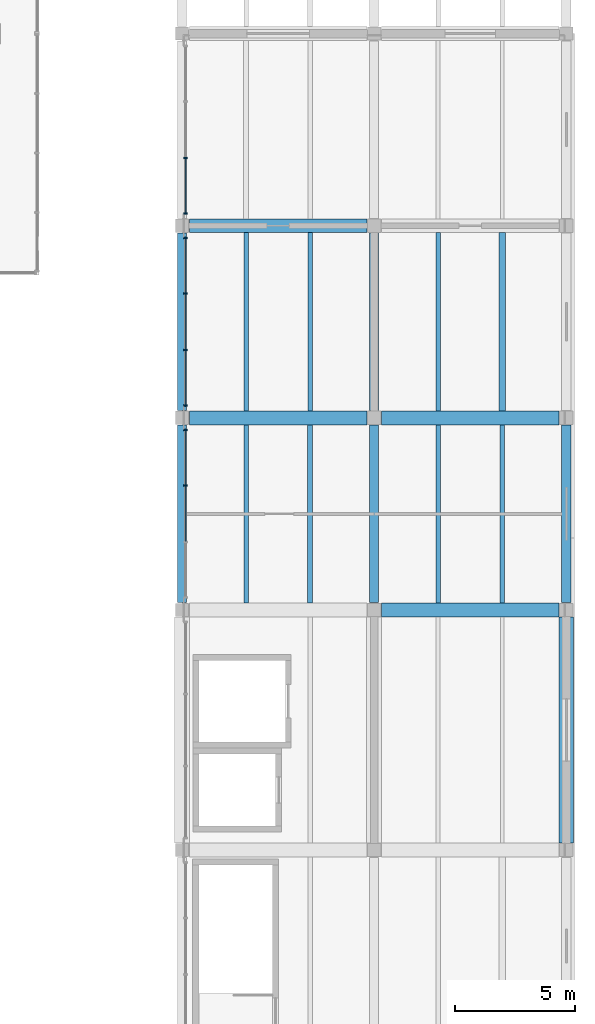
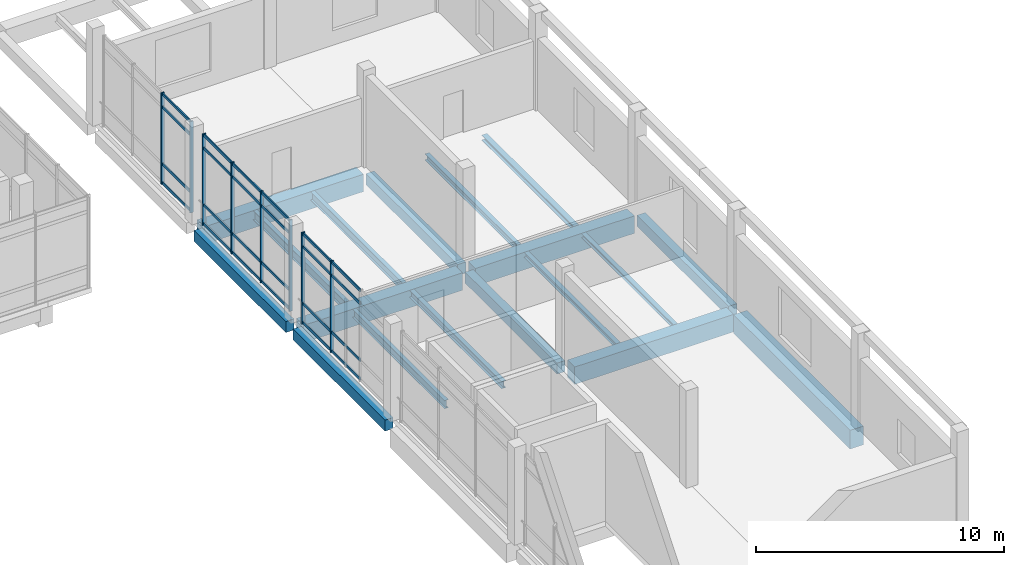
# One storey, part 10 of 28: 32 members, 18 beams, 3 elements without a shape of their own.
"""IFC4 building model written with IfcOpenShell, lengths in metres."""

from ifc_helpers import new_model, si_unit, direction, frame, origin, origin_2d, place, context, subcontext, project, spatial, rectangle, i_section, extrude, material, material_profile, profile_set, type_object, element, aggregate, save


model = new_model("IFC4")

# Units and contexts
model_context = context("Model", 3, precision=1e-05, world=origin(), true_north=direction((0.0, 1.0)))
body_context = subcontext(model_context, "Body", "Model", "MODEL_VIEW")
ifc_project = project(units=[si_unit("LENGTHUNIT", "METRE"), si_unit("AREAUNIT", "SQUARE_METRE"), si_unit("VOLUMEUNIT", "CUBIC_METRE"), si_unit("PLANEANGLEUNIT", "RADIAN"), si_unit("MASSUNIT", "GRAM", prefix="KILO")], contexts=[model_context])

# Site, building, storey
site_placement = place(None, origin())
site = spatial("IfcSite", under=ifc_project, at=site_placement, CompositionType="ELEMENT")
building_placement = place(site_placement, origin())
building = spatial("IfcBuilding", under=site, at=building_placement, Name="Pecanmere Concourse Central Library", CompositionType="ELEMENT")
storey_placement = place(building_placement, frame((0.0, 0.0, 20.10009765625)))
storey = spatial("IfcBuildingStorey", under=building, at=storey_placement, Name="L05", CompositionType="ELEMENT", Elevation=20.10009765625)

# Beams
ifc_material_1 = material(Name="Concrete C40/50", Category="concrete")
ifc_material_profile_1 = material_profile(ifc_material_1, rectangle(XDim=0.3798828125, YDim=0.5400390625, at=origin_2d()), Name="RC 380x540")
ifc_profile_set_1 = profile_set([ifc_material_profile_1], Name="Concrete C40/50")
beam_type_1 = type_object("IfcBeamType", Name="BM_380x540", PredefinedType="BEAM", material=ifc_profile_set_1)
for number, where, z_axis, x_axis, name in (
    (1, (112.0, 74.300048828125, -0.550048828125), (0.0, 1.0, 0.0), (-1.0, 0.0, 0.0), "Primary Girder Y L05-2526"),
    (2, (112.0, 82.300048828125, -0.550048828125), (0.0, 1.0, 0.0), (-1.0, 0.0, 0.0), "Primary Girder Y L05-2527"),
    (3, (120.0, 74.300048828125, -0.550048828125), (0.0, 1.0, 0.0), (-1.0, 0.0, 0.0), "Primary Girder Y L05-2533"),
    (4, (120.0, 82.300048828125, -0.550048828125), (0.0, 1.0, 0.0), (-1.0, 0.0, 0.0), "Primary Girder Y L05-2534"),
    (5, (128.0, 74.300048828125, -0.550048828125), (0.0, 1.0, 0.0), (-1.0, 0.0, 0.0), "Primary Girder Y L05-2540"),
):
    element("IfcBeam", number, at=place(storey_placement, frame(where, z_axis=z_axis, x_axis=x_axis)), inside=storey, type_object=beam_type_1, Name=name, PredefinedType="BEAM", context=body_context, shape_type="SweptSolid", body=[
        extrude(rectangle(XDim=0.3798828125, YDim=0.5400390625, at=origin_2d()), origin(), (0.0, 0.0, 1.0), 7.39990234375),
    ])

# Curtain wall, members
ifc_material_2 = material(Name="Clear anodized aluminium alloy 6063-T6", Category="aluminium")
curtain_wall_type = type_object("IfcCurtainWallType", Name="CW_CLOISTER_GLAZ", PredefinedType="USERDEFINED", material=ifc_material_2)
curtain_wall_1_placement = place(storey_placement, origin())
curtain_wall_1 = element("IfcCurtainWall", 6, at=curtain_wall_1_placement, inside=storey, type_object=curtain_wall_type, Name="Unitised Curtain Wall CW-04 L05-157", ObjectType="UNITISED CURTAIN WALL", PredefinedType="USERDEFINED")
ifc_material_3 = material(Name="Clear anodized aluminium alloy 6063-T6", Category="aluminium")
ifc_material_profile_2 = material_profile(ifc_material_3, rectangle(XDim=0.06005859375, YDim=0.14990234375, at=origin_2d()), Name="AL 60x150")
ifc_profile_set_2 = profile_set([ifc_material_profile_2], Name="Clear anodized aluminium alloy 6063-T6")
member_type_1 = type_object("IfcMemberType", Name="CWM_150x60", PredefinedType="MULLION", material=ifc_profile_set_2)
member_1_placement = place(storey_placement, frame((112.14990234375, 81.489990234375, 0.0), z_axis=(0.0, 0.0, 1.0), x_axis=(0.0, -1.0, 0.0)))
member_1 = element("IfcMember", 7, at=member_1_placement, type_object=member_type_1, Name="CW-04 Mullion 1", PredefinedType="MULLION", context=body_context, shape_type="SweptSolid", body=[
    extrude(rectangle(XDim=0.06005859375, YDim=0.14990234375, at=origin_2d()), origin(), (0.0, 0.0, 1.0), 4.5),
])
member_2_placement = place(storey_placement, frame((112.14990234375, 79.17333984375, 0.0), z_axis=(0.0, 0.0, 1.0), x_axis=(0.0, -1.0, 0.0)))
member_2 = element("IfcMember", 8, at=member_2_placement, type_object=member_type_1, Name="CW-04 Mullion 2", PredefinedType="MULLION", context=body_context, shape_type="SweptSolid", body=[
    extrude(rectangle(XDim=0.06005859375, YDim=0.14990234375, at=origin_2d()), origin(), (0.0, 0.0, 1.0), 4.5),
])

curtain_wall_2_placement = place(storey_placement, origin())
curtain_wall_2 = element("IfcCurtainWall", 9, at=curtain_wall_2_placement, inside=storey, type_object=curtain_wall_type, Name="Unitised Curtain Wall CW-04 L05-159", ObjectType="UNITISED CURTAIN WALL", PredefinedType="USERDEFINED")
member_3_placement = place(storey_placement, frame((112.14990234375, 89.489990234375, 0.0), z_axis=(0.0, 0.0, 1.0), x_axis=(0.0, -1.0, 0.0)))
member_3 = element("IfcMember", 10, at=member_3_placement, type_object=member_type_1, Name="CW-04 Mullion 1", PredefinedType="MULLION", context=body_context, shape_type="SweptSolid", body=[
    extrude(rectangle(XDim=0.06005859375, YDim=0.14990234375, at=origin_2d()), origin(), (0.0, 0.0, 1.0), 4.5),
])
member_4_placement = place(storey_placement, frame((112.14990234375, 87.17333984375, 0.0), z_axis=(0.0, 0.0, 1.0), x_axis=(0.0, -1.0, 0.0)))
member_4 = element("IfcMember", 11, at=member_4_placement, type_object=member_type_1, Name="CW-04 Mullion 2", PredefinedType="MULLION", context=body_context, shape_type="SweptSolid", body=[
    extrude(rectangle(XDim=0.06005859375, YDim=0.14990234375, at=origin_2d()), origin(), (0.0, 0.0, 1.0), 4.5),
])
member_5_placement = place(storey_placement, frame((112.14990234375, 84.82666015625, 0.0), z_axis=(0.0, 0.0, 1.0), x_axis=(0.0, -1.0, 0.0)))
member_5 = element("IfcMember", 12, at=member_5_placement, type_object=member_type_1, Name="CW-04 Mullion 3", PredefinedType="MULLION", context=body_context, shape_type="SweptSolid", body=[
    extrude(rectangle(XDim=0.06005859375, YDim=0.14990234375, at=origin_2d()), origin(), (0.0, 0.0, 1.0), 4.5),
])
member_6_placement = place(storey_placement, frame((112.14990234375, 82.510009765625, 0.0), z_axis=(0.0, 0.0, 1.0), x_axis=(0.0, -1.0, 0.0)))
member_6 = element("IfcMember", 13, at=member_6_placement, type_object=member_type_1, Name="CW-04 Mullion 4", PredefinedType="MULLION", context=body_context, shape_type="SweptSolid", body=[
    extrude(rectangle(XDim=0.06005859375, YDim=0.14990234375, at=origin_2d()), origin(), (0.0, 0.0, 1.0), 4.5),
])

curtain_wall_3_placement = place(storey_placement, origin())
curtain_wall_3 = element("IfcCurtainWall", 14, at=curtain_wall_3_placement, inside=storey, type_object=curtain_wall_type, Name="Unitised Curtain Wall CW-04 L05-161", ObjectType="UNITISED CURTAIN WALL", PredefinedType="USERDEFINED")
member_7_placement = place(storey_placement, frame((112.14990234375, 92.82666015625, 0.0), z_axis=(0.0, 0.0, 1.0), x_axis=(0.0, -1.0, 0.0)))
member_7 = element("IfcMember", 15, at=member_7_placement, type_object=member_type_1, Name="CW-04 Mullion 3", PredefinedType="MULLION", context=body_context, shape_type="SweptSolid", body=[
    extrude(rectangle(XDim=0.06005859375, YDim=0.14990234375, at=origin_2d()), origin(), (0.0, 0.0, 1.0), 4.5),
])
member_8_placement = place(storey_placement, frame((112.14990234375, 90.510009765625, 0.0), z_axis=(0.0, 0.0, 1.0), x_axis=(0.0, -1.0, 0.0)))
member_8 = element("IfcMember", 16, at=member_8_placement, type_object=member_type_1, Name="CW-04 Mullion 4", PredefinedType="MULLION", context=body_context, shape_type="SweptSolid", body=[
    extrude(rectangle(XDim=0.06005859375, YDim=0.14990234375, at=origin_2d()), origin(), (0.0, 0.0, 1.0), 4.5),
])

# Member
ifc_material_4 = material(Name="Clear anodized aluminium alloy 6063-T6", Category="aluminium")
ifc_material_profile_3 = material_profile(ifc_material_4, rectangle(XDim=0.054931640625, YDim=0.139892578125, at=origin_2d()), Name="AL 55x140")
ifc_profile_set_3 = profile_set([ifc_material_profile_3], Name="Clear anodized aluminium alloy 6063-T6")
member_type_2 = type_object("IfcMemberType", Name="CWT_140x55", PredefinedType="USERDEFINED", material=ifc_profile_set_3)
member_9_placement = place(storey_placement, frame((112.14990234375, 81.4599609375, 0.06982421875), z_axis=(0.0, -1.0, 0.0), x_axis=(1.0, 0.0, 0.0)))
member_9 = element("IfcMember", 17, at=member_9_placement, type_object=member_type_2, Name="CW-04 Transom 1.1", ObjectType="TRANSOM", PredefinedType="USERDEFINED", context=body_context, shape_type="SweptSolid", body=[
    extrude(rectangle(XDim=0.054931640625, YDim=0.139892578125, at=origin_2d()), origin(), (0.0, 0.0, 1.0), 2.256591796875),
])

member_10_placement = place(storey_placement, frame((112.14990234375, 81.4599609375, 1.0), z_axis=(0.0, -1.0, 0.0), x_axis=(1.0, 0.0, 0.0)))
member_10 = element("IfcMember", 18, at=member_10_placement, type_object=member_type_2, Name="CW-04 Transom 1.2", ObjectType="TRANSOM", PredefinedType="USERDEFINED", context=body_context, shape_type="SweptSolid", body=[
    extrude(rectangle(XDim=0.054931640625, YDim=0.139892578125, at=origin_2d()), origin(), (0.0, 0.0, 1.0), 2.256591796875),
])

member_11_placement = place(storey_placement, frame((112.14990234375, 81.4599609375, 3.7998046875), z_axis=(0.0, -1.0, 0.0), x_axis=(1.0, 0.0, 0.0)))
member_11 = element("IfcMember", 19, at=member_11_placement, type_object=member_type_2, Name="CW-04 Transom 1.3", ObjectType="TRANSOM", PredefinedType="USERDEFINED", context=body_context, shape_type="SweptSolid", body=[
    extrude(rectangle(XDim=0.054931640625, YDim=0.139892578125, at=origin_2d()), origin(), (0.0, 0.0, 1.0), 2.256591796875),
])

member_12_placement = place(storey_placement, frame((112.14990234375, 81.4599609375, 4.429931640625), z_axis=(0.0, -1.0, 0.0), x_axis=(1.0, 0.0, 0.0)))
member_12 = element("IfcMember", 20, at=member_12_placement, type_object=member_type_2, Name="CW-04 Transom 1.4", ObjectType="TRANSOM", PredefinedType="USERDEFINED", context=body_context, shape_type="SweptSolid", body=[
    extrude(rectangle(XDim=0.054931640625, YDim=0.139892578125, at=origin_2d()), origin(), (0.0, 0.0, 1.0), 2.256591796875),
])

member_13_placement = place(storey_placement, frame((112.14990234375, 79.143310546875, 0.06982421875), z_axis=(0.0, -1.0, 0.0), x_axis=(1.0, 0.0, 0.0)))
member_13 = element("IfcMember", 21, at=member_13_placement, type_object=member_type_2, Name="CW-04 Transom 2.1", ObjectType="TRANSOM", PredefinedType="USERDEFINED", context=body_context, shape_type="SweptSolid", body=[
    extrude(rectangle(XDim=0.054931640625, YDim=0.139892578125, at=origin_2d()), origin(), (0.0, 0.0, 1.0), 2.28662109375),
])

member_14_placement = place(storey_placement, frame((112.14990234375, 79.143310546875, 1.0), z_axis=(0.0, -1.0, 0.0), x_axis=(1.0, 0.0, 0.0)))
member_14 = element("IfcMember", 22, at=member_14_placement, type_object=member_type_2, Name="CW-04 Transom 2.2", ObjectType="TRANSOM", PredefinedType="USERDEFINED", context=body_context, shape_type="SweptSolid", body=[
    extrude(rectangle(XDim=0.054931640625, YDim=0.139892578125, at=origin_2d()), origin(), (0.0, 0.0, 1.0), 2.28662109375),
])

member_15_placement = place(storey_placement, frame((112.14990234375, 79.143310546875, 3.7998046875), z_axis=(0.0, -1.0, 0.0), x_axis=(1.0, 0.0, 0.0)))
member_15 = element("IfcMember", 23, at=member_15_placement, type_object=member_type_2, Name="CW-04 Transom 2.3", ObjectType="TRANSOM", PredefinedType="USERDEFINED", context=body_context, shape_type="SweptSolid", body=[
    extrude(rectangle(XDim=0.054931640625, YDim=0.139892578125, at=origin_2d()), origin(), (0.0, 0.0, 1.0), 2.28662109375),
])

member_16_placement = place(storey_placement, frame((112.14990234375, 79.143310546875, 4.429931640625), z_axis=(0.0, -1.0, 0.0), x_axis=(1.0, 0.0, 0.0)))
member_16 = element("IfcMember", 24, at=member_16_placement, type_object=member_type_2, Name="CW-04 Transom 2.4", ObjectType="TRANSOM", PredefinedType="USERDEFINED", context=body_context, shape_type="SweptSolid", body=[
    extrude(rectangle(XDim=0.054931640625, YDim=0.139892578125, at=origin_2d()), origin(), (0.0, 0.0, 1.0), 2.28662109375),
])

aggregate(curtain_wall_1, [member_1, member_2, member_9, member_10, member_11, member_12, member_13, member_14, member_15, member_16])

member_17_placement = place(storey_placement, frame((112.14990234375, 89.4599609375, 0.06982421875), z_axis=(0.0, -1.0, 0.0), x_axis=(1.0, 0.0, 0.0)))
member_17 = element("IfcMember", 25, at=member_17_placement, type_object=member_type_2, Name="CW-04 Transom 1.1", ObjectType="TRANSOM", PredefinedType="USERDEFINED", context=body_context, shape_type="SweptSolid", body=[
    extrude(rectangle(XDim=0.054931640625, YDim=0.139892578125, at=origin_2d()), origin(), (0.0, 0.0, 1.0), 2.256591796875),
])

member_18_placement = place(storey_placement, frame((112.14990234375, 89.4599609375, 1.0), z_axis=(0.0, -1.0, 0.0), x_axis=(1.0, 0.0, 0.0)))
member_18 = element("IfcMember", 26, at=member_18_placement, type_object=member_type_2, Name="CW-04 Transom 1.2", ObjectType="TRANSOM", PredefinedType="USERDEFINED", context=body_context, shape_type="SweptSolid", body=[
    extrude(rectangle(XDim=0.054931640625, YDim=0.139892578125, at=origin_2d()), origin(), (0.0, 0.0, 1.0), 2.256591796875),
])

member_19_placement = place(storey_placement, frame((112.14990234375, 89.4599609375, 3.7998046875), z_axis=(0.0, -1.0, 0.0), x_axis=(1.0, 0.0, 0.0)))
member_19 = element("IfcMember", 27, at=member_19_placement, type_object=member_type_2, Name="CW-04 Transom 1.3", ObjectType="TRANSOM", PredefinedType="USERDEFINED", context=body_context, shape_type="SweptSolid", body=[
    extrude(rectangle(XDim=0.054931640625, YDim=0.139892578125, at=origin_2d()), origin(), (0.0, 0.0, 1.0), 2.256591796875),
])

member_20_placement = place(storey_placement, frame((112.14990234375, 89.4599609375, 4.429931640625), z_axis=(0.0, -1.0, 0.0), x_axis=(1.0, 0.0, 0.0)))
member_20 = element("IfcMember", 28, at=member_20_placement, type_object=member_type_2, Name="CW-04 Transom 1.4", ObjectType="TRANSOM", PredefinedType="USERDEFINED", context=body_context, shape_type="SweptSolid", body=[
    extrude(rectangle(XDim=0.054931640625, YDim=0.139892578125, at=origin_2d()), origin(), (0.0, 0.0, 1.0), 2.256591796875),
])

member_21_placement = place(storey_placement, frame((112.14990234375, 87.143310546875, 0.06982421875), z_axis=(0.0, -1.0, 0.0), x_axis=(1.0, 0.0, 0.0)))
member_21 = element("IfcMember", 29, at=member_21_placement, type_object=member_type_2, Name="CW-04 Transom 2.1", ObjectType="TRANSOM", PredefinedType="USERDEFINED", context=body_context, shape_type="SweptSolid", body=[
    extrude(rectangle(XDim=0.054931640625, YDim=0.139892578125, at=origin_2d()), origin(), (0.0, 0.0, 1.0), 2.28662109375),
])

member_22_placement = place(storey_placement, frame((112.14990234375, 87.143310546875, 1.0), z_axis=(0.0, -1.0, 0.0), x_axis=(1.0, 0.0, 0.0)))
member_22 = element("IfcMember", 30, at=member_22_placement, type_object=member_type_2, Name="CW-04 Transom 2.2", ObjectType="TRANSOM", PredefinedType="USERDEFINED", context=body_context, shape_type="SweptSolid", body=[
    extrude(rectangle(XDim=0.054931640625, YDim=0.139892578125, at=origin_2d()), origin(), (0.0, 0.0, 1.0), 2.28662109375),
])

member_23_placement = place(storey_placement, frame((112.14990234375, 87.143310546875, 3.7998046875), z_axis=(0.0, -1.0, 0.0), x_axis=(1.0, 0.0, 0.0)))
member_23 = element("IfcMember", 31, at=member_23_placement, type_object=member_type_2, Name="CW-04 Transom 2.3", ObjectType="TRANSOM", PredefinedType="USERDEFINED", context=body_context, shape_type="SweptSolid", body=[
    extrude(rectangle(XDim=0.054931640625, YDim=0.139892578125, at=origin_2d()), origin(), (0.0, 0.0, 1.0), 2.28662109375),
])

member_24_placement = place(storey_placement, frame((112.14990234375, 87.143310546875, 4.429931640625), z_axis=(0.0, -1.0, 0.0), x_axis=(1.0, 0.0, 0.0)))
member_24 = element("IfcMember", 32, at=member_24_placement, type_object=member_type_2, Name="CW-04 Transom 2.4", ObjectType="TRANSOM", PredefinedType="USERDEFINED", context=body_context, shape_type="SweptSolid", body=[
    extrude(rectangle(XDim=0.054931640625, YDim=0.139892578125, at=origin_2d()), origin(), (0.0, 0.0, 1.0), 2.28662109375),
])

member_25_placement = place(storey_placement, frame((112.14990234375, 84.796630859375, 0.06982421875), z_axis=(0.0, -1.0, 0.0), x_axis=(1.0, 0.0, 0.0)))
member_25 = element("IfcMember", 33, at=member_25_placement, type_object=member_type_2, Name="CW-04 Transom 3.1", ObjectType="TRANSOM", PredefinedType="USERDEFINED", context=body_context, shape_type="SweptSolid", body=[
    extrude(rectangle(XDim=0.054931640625, YDim=0.139892578125, at=origin_2d()), origin(), (0.0, 0.0, 1.0), 2.256591796875),
])

member_26_placement = place(storey_placement, frame((112.14990234375, 84.796630859375, 1.0), z_axis=(0.0, -1.0, 0.0), x_axis=(1.0, 0.0, 0.0)))
member_26 = element("IfcMember", 34, at=member_26_placement, type_object=member_type_2, Name="CW-04 Transom 3.2", ObjectType="TRANSOM", PredefinedType="USERDEFINED", context=body_context, shape_type="SweptSolid", body=[
    extrude(rectangle(XDim=0.054931640625, YDim=0.139892578125, at=origin_2d()), origin(), (0.0, 0.0, 1.0), 2.256591796875),
])

member_27_placement = place(storey_placement, frame((112.14990234375, 84.796630859375, 3.7998046875), z_axis=(0.0, -1.0, 0.0), x_axis=(1.0, 0.0, 0.0)))
member_27 = element("IfcMember", 35, at=member_27_placement, type_object=member_type_2, Name="CW-04 Transom 3.3", ObjectType="TRANSOM", PredefinedType="USERDEFINED", context=body_context, shape_type="SweptSolid", body=[
    extrude(rectangle(XDim=0.054931640625, YDim=0.139892578125, at=origin_2d()), origin(), (0.0, 0.0, 1.0), 2.256591796875),
])

member_28_placement = place(storey_placement, frame((112.14990234375, 84.796630859375, 4.429931640625), z_axis=(0.0, -1.0, 0.0), x_axis=(1.0, 0.0, 0.0)))
member_28 = element("IfcMember", 36, at=member_28_placement, type_object=member_type_2, Name="CW-04 Transom 3.4", ObjectType="TRANSOM", PredefinedType="USERDEFINED", context=body_context, shape_type="SweptSolid", body=[
    extrude(rectangle(XDim=0.054931640625, YDim=0.139892578125, at=origin_2d()), origin(), (0.0, 0.0, 1.0), 2.256591796875),
])

aggregate(curtain_wall_2, [member_3, member_4, member_5, member_6, member_17, member_18, member_19, member_20, member_21, member_22, member_23, member_24, member_25, member_26, member_27, member_28])

member_29_placement = place(storey_placement, frame((112.14990234375, 92.796630859375, 0.06982421875), z_axis=(0.0, -1.0, 0.0), x_axis=(1.0, 0.0, 0.0)))
member_29 = element("IfcMember", 37, at=member_29_placement, type_object=member_type_2, Name="CW-04 Transom 3.1", ObjectType="TRANSOM", PredefinedType="USERDEFINED", context=body_context, shape_type="SweptSolid", body=[
    extrude(rectangle(XDim=0.054931640625, YDim=0.139892578125, at=origin_2d()), origin(), (0.0, 0.0, 1.0), 2.256591796875),
])

member_30_placement = place(storey_placement, frame((112.14990234375, 92.796630859375, 1.0), z_axis=(0.0, -1.0, 0.0), x_axis=(1.0, 0.0, 0.0)))
member_30 = element("IfcMember", 38, at=member_30_placement, type_object=member_type_2, Name="CW-04 Transom 3.2", ObjectType="TRANSOM", PredefinedType="USERDEFINED", context=body_context, shape_type="SweptSolid", body=[
    extrude(rectangle(XDim=0.054931640625, YDim=0.139892578125, at=origin_2d()), origin(), (0.0, 0.0, 1.0), 2.256591796875),
])

member_31_placement = place(storey_placement, frame((112.14990234375, 92.796630859375, 3.7998046875), z_axis=(0.0, -1.0, 0.0), x_axis=(1.0, 0.0, 0.0)))
member_31 = element("IfcMember", 39, at=member_31_placement, type_object=member_type_2, Name="CW-04 Transom 3.3", ObjectType="TRANSOM", PredefinedType="USERDEFINED", context=body_context, shape_type="SweptSolid", body=[
    extrude(rectangle(XDim=0.054931640625, YDim=0.139892578125, at=origin_2d()), origin(), (0.0, 0.0, 1.0), 2.256591796875),
])

member_32_placement = place(storey_placement, frame((112.14990234375, 92.796630859375, 4.429931640625), z_axis=(0.0, -1.0, 0.0), x_axis=(1.0, 0.0, 0.0)))
member_32 = element("IfcMember", 40, at=member_32_placement, type_object=member_type_2, Name="CW-04 Transom 3.4", ObjectType="TRANSOM", PredefinedType="USERDEFINED", context=body_context, shape_type="SweptSolid", body=[
    extrude(rectangle(XDim=0.054931640625, YDim=0.139892578125, at=origin_2d()), origin(), (0.0, 0.0, 1.0), 2.256591796875),
])

aggregate(curtain_wall_3, [member_7, member_8, member_29, member_30, member_31, member_32])

# Beams
ifc_material_5 = material(Name="Concrete C40/50", Category="concrete")
ifc_material_profile_4 = material_profile(ifc_material_5, rectangle(XDim=0.580078125, YDim=0.860107421875, at=origin_2d()), Name="RC 580x860")
ifc_profile_set_4 = profile_set([ifc_material_profile_4], Name="Concrete C40/50")
beam_type_2 = type_object("IfcBeamType", Name="GRD_580x860", PredefinedType="USERDEFINED", material=ifc_profile_set_4)
for number, where, z_axis, x_axis, name in (
    (41, (120.300048828125, 74.0, -0.710205078125), (1.0, 0.0, 0.0), (0.0, 1.0, 0.0), "Primary Girder X L05-2449"),
    (42, (112.300048828125, 82.0, -0.710205078125), (1.0, 0.0, 0.0), (0.0, 1.0, 0.0), "Primary Girder X L05-2452"),
    (43, (120.300048828125, 82.0, -0.710205078125), (1.0, 0.0, 0.0), (0.0, 1.0, 0.0), "Primary Girder X L05-2453"),
    (44, (112.300048828125, 90.0, -0.710205078125), (1.0, 0.0, 0.0), (0.0, 1.0, 0.0), "Primary Girder X L05-2460"),
):
    element("IfcBeam", number, at=place(storey_placement, frame(where, z_axis=z_axis, x_axis=x_axis)), inside=storey, type_object=beam_type_2, Name=name, ObjectType="GIRDER", PredefinedType="USERDEFINED", context=body_context, shape_type="SweptSolid", body=[
        extrude(rectangle(XDim=0.580078125, YDim=0.860107421875, at=origin_2d()), origin(), (0.0, 0.0, 1.0), 7.39990234375),
    ])
ifc_material_6 = material(Name="Concrete C40/50", Category="concrete")
ifc_material_profile_5 = material_profile(ifc_material_6, rectangle(XDim=0.6201171875, YDim=0.919921875, at=origin_2d()), Name="RC 620x920")
ifc_profile_set_5 = profile_set([ifc_material_profile_5], Name="Concrete C40/50")
beam_type_3 = type_object("IfcBeamType", Name="GRD_620x920", PredefinedType="USERDEFINED", material=ifc_profile_set_5)
beam_1_placement = place(storey_placement, frame((128.0, 64.300048828125, -0.739990234375), z_axis=(0.0, 1.0, 0.0), x_axis=(-1.0, 0.0, 0.0)))
element("IfcBeam", 45, at=beam_1_placement, inside=storey, type_object=beam_type_3, Name="Primary Girder Y L05-2539", ObjectType="GIRDER", PredefinedType="USERDEFINED", context=body_context, shape_type="SweptSolid", body=[
    extrude(rectangle(XDim=0.6201171875, YDim=0.919921875, at=origin_2d()), origin(), (0.0, 0.0, 1.0), 9.39990234375),
])
ifc_material_7 = material(Name="Structural steel ASTM A992 Grade 50", Category="steel")
ifc_material_profile_6 = material_profile(ifc_material_7, i_section(OverallWidth=0.2041015625, OverallDepth=0.2060546875, WebThickness=0.0078125, FlangeThickness=0.0126953125, at=origin_2d()), Name="W200x52")
ifc_profile_set_6 = profile_set([ifc_material_profile_6], Name="Structural steel ASTM A992 Grade 50")
beam_type_4 = type_object("IfcBeamType", Name="SBM_W200x52", PredefinedType="JOIST", material=ifc_profile_set_6)
beam_2_placement = place(storey_placement, frame((125.333251953125, 74.2900390625, -0.383056640625), z_axis=(0.0, 1.0, 0.0), x_axis=(-1.0, 0.0, 0.0)))
element("IfcBeam", 46, at=beam_2_placement, inside=storey, type_object=beam_type_4, Name="Secondary Floor Joist L05-2617", PredefinedType="JOIST", context=body_context, shape_type="SweptSolid", body=[
    extrude(i_section(OverallWidth=0.2041015625, OverallDepth=0.2060546875, WebThickness=0.0078125, FlangeThickness=0.0126953125, at=origin_2d()), origin(), (0.0, 0.0, 1.0), 7.419921875),
])
ifc_material_8 = material(Name="Structural steel ASTM A992 Grade 50", Category="steel")
ifc_material_profile_7 = material_profile(ifc_material_8, i_section(OverallWidth=0.201904296875, OverallDepth=0.2470703125, WebThickness=0.00732421875, FlangeThickness=0.010986328125, at=origin_2d()), Name="W250x49.1")
ifc_profile_set_7 = profile_set([ifc_material_profile_7], Name="Structural steel ASTM A992 Grade 50")
beam_type_5 = type_object("IfcBeamType", Name="SBM_W250x49", PredefinedType="JOIST", material=ifc_profile_set_7)
beam_3_placement = place(storey_placement, frame((122.666748046875, 74.2900390625, -0.403564453125), z_axis=(0.0, 1.0, 0.0), x_axis=(-1.0, 0.0, 0.0)))
element("IfcBeam", 47, at=beam_3_placement, inside=storey, type_object=beam_type_5, Name="Secondary Floor Joist L05-2616", PredefinedType="JOIST", context=body_context, shape_type="SweptSolid", body=[
    extrude(i_section(OverallWidth=0.201904296875, OverallDepth=0.2470703125, WebThickness=0.00732421875, FlangeThickness=0.010986328125, at=origin_2d()), origin(), (0.0, 0.0, 1.0), 7.419921875),
])
ifc_material_9 = material(Name="Structural steel ASTM A992 Grade 50", Category="steel")
ifc_material_profile_8 = material_profile(ifc_material_9, i_section(OverallWidth=0.25390625, OverallDepth=0.2529296875, WebThickness=0.008544921875, FlangeThickness=0.01416015625, at=origin_2d()), Name="W250x73")
ifc_profile_set_8 = profile_set([ifc_material_profile_8], Name="Structural steel ASTM A992 Grade 50")
beam_type_6 = type_object("IfcBeamType", Name="SBM_W250x73", PredefinedType="BEAM", material=ifc_profile_set_8)
beam_4_placement = place(storey_placement, frame((125.333251953125, 82.2900390625, -0.406494140625), z_axis=(0.0, 1.0, 0.0), x_axis=(-1.0, 0.0, 0.0)))
element("IfcBeam", 48, at=beam_4_placement, inside=storey, type_object=beam_type_6, Name="Secondary Floor Joist L05-2619", PredefinedType="BEAM", context=body_context, shape_type="SweptSolid", body=[
    extrude(i_section(OverallWidth=0.25390625, OverallDepth=0.2529296875, WebThickness=0.008544921875, FlangeThickness=0.01416015625, at=origin_2d()), origin(), (0.0, 0.0, 1.0), 7.419921875),
])
ifc_material_10 = material(Name="Structural steel ASTM A992 Grade 50", Category="steel")
ifc_material_profile_9 = material_profile(ifc_material_10, i_section(OverallWidth=0.205078125, OverallDepth=0.31005859375, WebThickness=0.009521484375, FlangeThickness=0.016357421875, at=origin_2d()), Name="W310x74")
ifc_profile_set_9 = profile_set([ifc_material_profile_9], Name="Structural steel ASTM A992 Grade 50")
beam_type_7 = type_object("IfcBeamType", Name="SBM_W310x74", PredefinedType="BEAM", material=ifc_profile_set_9)
beam_5_placement = place(storey_placement, frame((122.666748046875, 82.2900390625, -0.43505859375), z_axis=(0.0, 1.0, 0.0), x_axis=(-1.0, 0.0, 0.0)))
element("IfcBeam", 49, at=beam_5_placement, inside=storey, type_object=beam_type_7, Name="Secondary Floor Joist L05-2618", PredefinedType="BEAM", context=body_context, shape_type="SweptSolid", body=[
    extrude(i_section(OverallWidth=0.205078125, OverallDepth=0.31005859375, WebThickness=0.009521484375, FlangeThickness=0.016357421875, at=origin_2d()), origin(), (0.0, 0.0, 1.0), 7.419921875),
])
ifc_material_11 = material(Name="Structural steel ASTM A992 Grade 50", Category="steel")
ifc_material_profile_10 = material_profile(ifc_material_11, i_section(OverallWidth=0.202880859375, OverallDepth=0.346923828125, WebThickness=0.0078125, FlangeThickness=0.013427734375, at=origin_2d()), Name="W360x64")
ifc_profile_set_10 = profile_set([ifc_material_profile_10], Name="Structural steel ASTM A992 Grade 50")
beam_type_8 = type_object("IfcBeamType", Name="SBM_W360x64", PredefinedType="JOIST", material=ifc_profile_set_10)
beam_6_placement = place(storey_placement, frame((117.333251953125, 74.2900390625, -0.45361328125), z_axis=(0.0, 1.0, 0.0), x_axis=(-1.0, 0.0, 0.0)))
element("IfcBeam", 50, at=beam_6_placement, inside=storey, type_object=beam_type_8, Name="Secondary Floor Joist L05-2603", PredefinedType="JOIST", context=body_context, shape_type="SweptSolid", body=[
    extrude(i_section(OverallWidth=0.202880859375, OverallDepth=0.346923828125, WebThickness=0.0078125, FlangeThickness=0.013427734375, at=origin_2d()), origin(), (0.0, 0.0, 1.0), 7.419921875),
])
ifc_material_12 = material(Name="Structural steel ASTM A992 Grade 50", Category="steel")
ifc_material_profile_11 = material_profile(ifc_material_12, i_section(OverallWidth=0.177978515625, OverallDepth=0.406982421875, WebThickness=0.0078125, FlangeThickness=0.0126953125, at=origin_2d()), Name="W410x60")
ifc_profile_set_11 = profile_set([ifc_material_profile_11], Name="Structural steel ASTM A992 Grade 50")
beam_type_9 = type_object("IfcBeamType", Name="SBM_W410x60", PredefinedType="JOIST", material=ifc_profile_set_11)
beam_7_placement = place(storey_placement, frame((114.666748046875, 74.2900390625, -0.483642578125), z_axis=(0.0, 1.0, 0.0), x_axis=(-1.0, 0.0, 0.0)))
element("IfcBeam", 51, at=beam_7_placement, inside=storey, type_object=beam_type_9, Name="Secondary Floor Joist L05-2602", PredefinedType="JOIST", context=body_context, shape_type="SweptSolid", body=[
    extrude(i_section(OverallWidth=0.177978515625, OverallDepth=0.406982421875, WebThickness=0.0078125, FlangeThickness=0.0126953125, at=origin_2d()), origin(), (0.0, 0.0, 1.0), 7.419921875),
])
ifc_material_13 = material(Name="Structural steel ASTM A992 Grade 50", Category="steel")
ifc_material_profile_12 = material_profile(ifc_material_13, i_section(OverallWidth=0.180908203125, OverallDepth=0.4169921875, WebThickness=0.010986328125, FlangeThickness=0.018310546875, at=origin_2d()), Name="W410x85")
ifc_profile_set_12 = profile_set([ifc_material_profile_12], Name="Structural steel ASTM A992 Grade 50")
beam_type_10 = type_object("IfcBeamType", Name="SBM_W410x85", PredefinedType="BEAM", material=ifc_profile_set_12)
beam_8_placement = place(storey_placement, frame((117.333251953125, 82.2900390625, -0.488525390625), z_axis=(0.0, 1.0, 0.0), x_axis=(-1.0, 0.0, 0.0)))
element("IfcBeam", 52, at=beam_8_placement, inside=storey, type_object=beam_type_10, Name="Secondary Floor Joist L05-2605", PredefinedType="BEAM", context=body_context, shape_type="SweptSolid", body=[
    extrude(i_section(OverallWidth=0.180908203125, OverallDepth=0.4169921875, WebThickness=0.010986328125, FlangeThickness=0.018310546875, at=origin_2d()), origin(), (0.0, 0.0, 1.0), 7.419921875),
])
ifc_material_14 = material(Name="Structural steel ASTM A992 Grade 50", Category="steel")
ifc_material_profile_13 = material_profile(ifc_material_14, i_section(OverallWidth=0.18994140625, OverallDepth=0.45703125, WebThickness=0.009033203125, FlangeThickness=0.014404296875, at=origin_2d()), Name="W460x74")
ifc_profile_set_13 = profile_set([ifc_material_profile_13], Name="Structural steel ASTM A992 Grade 50")
beam_type_11 = type_object("IfcBeamType", Name="SBM_W460x74", PredefinedType="BEAM", material=ifc_profile_set_13)
beam_9_placement = place(storey_placement, frame((114.666748046875, 82.2900390625, -0.508544921875), z_axis=(0.0, 1.0, 0.0), x_axis=(-1.0, 0.0, 0.0)))
element("IfcBeam", 53, at=beam_9_placement, inside=storey, type_object=beam_type_11, Name="Secondary Floor Joist L05-2604", PredefinedType="BEAM", context=body_context, shape_type="SweptSolid", body=[
    extrude(i_section(OverallWidth=0.18994140625, OverallDepth=0.45703125, WebThickness=0.009033203125, FlangeThickness=0.014404296875, at=origin_2d()), origin(), (0.0, 0.0, 1.0), 7.419921875),
])

save(model, "model.ifc")
